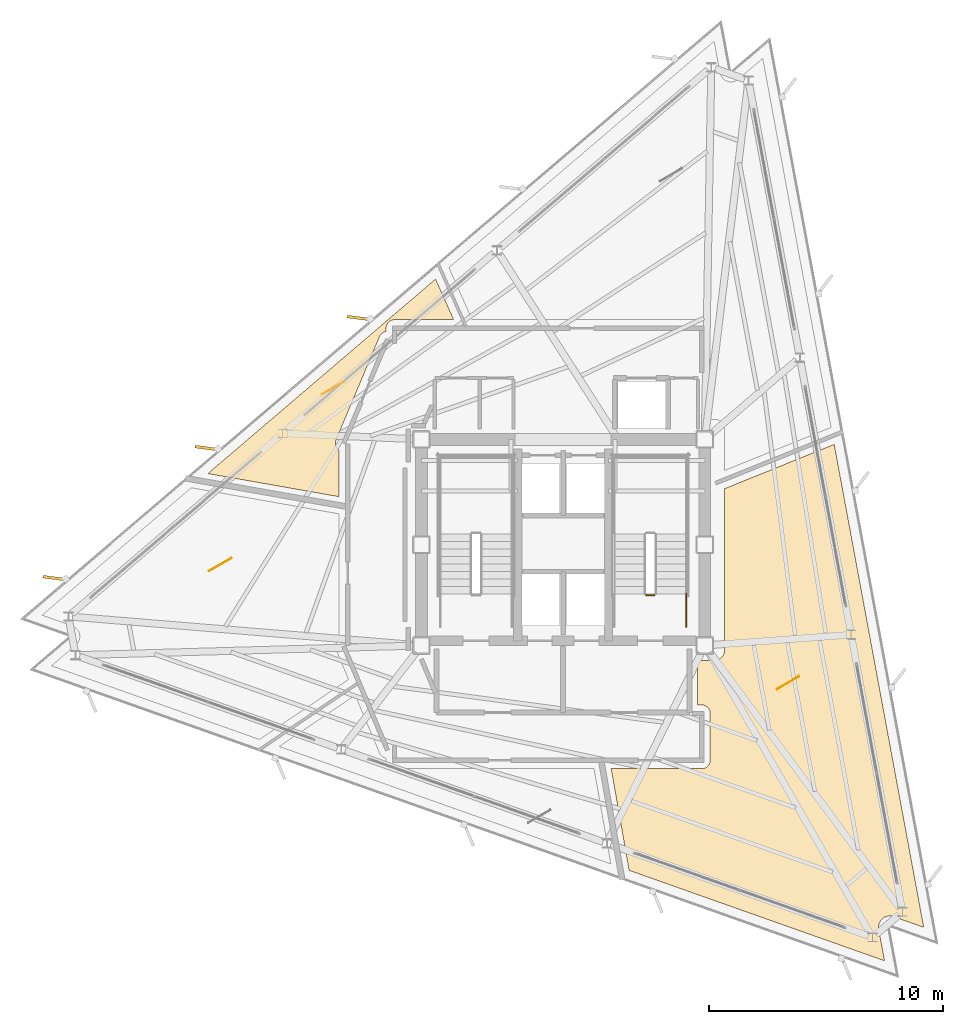
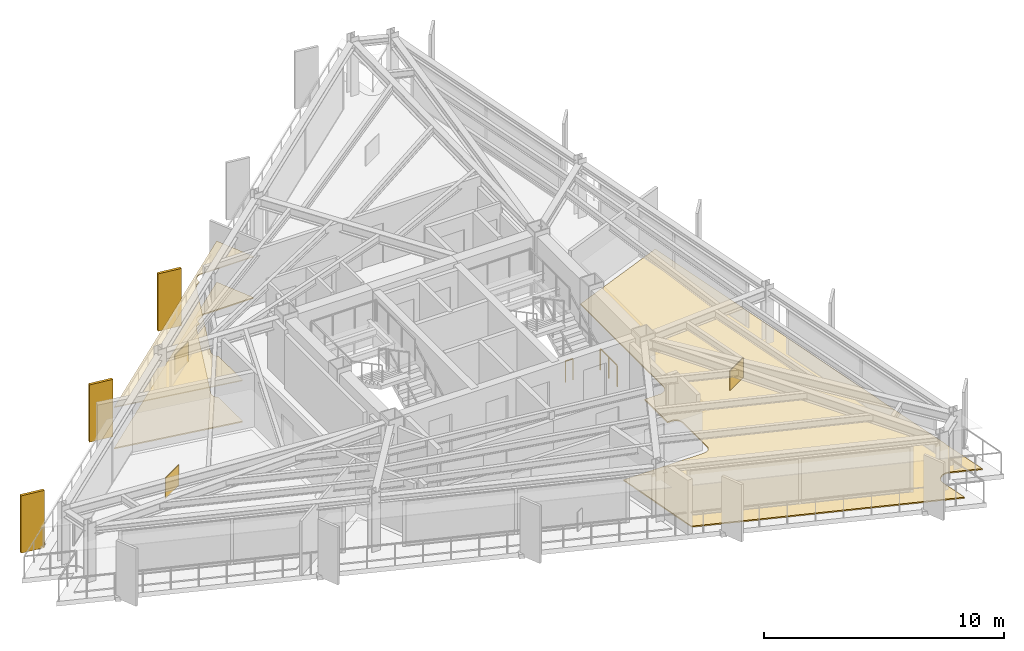
# One storey, part 12 of 14: 6 coverings, 3 shading devices, 2 railings.
"""IFC4 building model written with IfcOpenShell, lengths in metres."""

from ifc_helpers import new_model, si_unit, direction, frame, origin, origin_2d, place, context, subcontext, project, spatial, polyline, rectangle, outline, extrude, material, layer, layer_set, type_object, element, save


model = new_model("IFC4")

# Units and contexts
model_context = context("Model", 3, precision=1e-05, world=origin(), true_north=direction((0.0, 1.0)))
body_context = subcontext(model_context, "Body", "Model", "MODEL_VIEW")
ifc_project = project(units=[si_unit("LENGTHUNIT", "METRE"), si_unit("AREAUNIT", "SQUARE_METRE"), si_unit("VOLUMEUNIT", "CUBIC_METRE"), si_unit("PLANEANGLEUNIT", "RADIAN"), si_unit("MASSUNIT", "GRAM", prefix="KILO")], contexts=[model_context])

# Site, building, storey
site_placement = place(None, origin())
site = spatial("IfcSite", under=ifc_project, at=site_placement, CompositionType="ELEMENT")
building_placement = place(site_placement, origin())
building = spatial("IfcBuilding", under=site, at=building_placement, Name="Rocaltana Carrier Exchange", CompositionType="ELEMENT")
storey_placement = place(building_placement, frame((0.0, 0.0, 187.52001953125)))
storey = spatial("IfcBuildingStorey", under=building, at=storey_placement, Name="L59", CompositionType="ELEMENT", Elevation=187.52001953125)

# Coverings
ifc_material_1 = material(Name="Calcium Sulphate & Aluminium Pedestal", Category="aluminium")
ifc_layer_1 = layer(ifc_material_1, 0.06005859375)
ifc_layer_set_1 = layer_set([ifc_layer_1], Name="Calcium Sulphate & Aluminium Pedestal")
covering_type_1 = type_object("IfcCoveringType", Name="Anti-Static Raised Exchange Access Floor 60", PredefinedType="FLOORING", material=ifc_layer_set_1)
covering_1_placement = place(storey_placement, origin())
element("IfcCovering", 1, at=covering_1_placement, inside=storey, type_object=covering_type_1, Name="L59 Cloud Architecture Office Finish Floor", PredefinedType="FLOORING", context=body_context, shape_type="SweptSolid", body=[
    extrude(outline(polyline([(5.739990234375, -6.840087890625), (5.739990234375, -4.93994140625), (6.449951171875, -4.93994140625), (6.463623046875, -4.939697265625), (6.4794921875, -4.93896484375), (6.5068359375, -4.936279296875), (6.522216796875, -4.933837890625), (6.54931640625, -4.928466796875), (6.564453125, -4.9248046875), (6.5908203125, -4.916748046875), (6.605712890625, -4.91162109375), (6.630859375, -4.90087890625), (6.64501953125, -4.894287109375), (6.66943359375, -4.88134765625), (6.682861328125, -4.873291015625), (6.705810546875, -4.85791015625), (6.71826171875, -4.8486328125), (6.739501953125, -4.8310546875), (6.751220703125, -4.820556640625), (6.7705078125, -4.80126953125), (6.781005859375, -4.78955078125), (6.798583984375, -4.768310546875), (6.807861328125, -4.755615234375), (6.8232421875, -4.73291015625), (6.831298828125, -4.719482421875), (6.84423828125, -4.695068359375), (6.850830078125, -4.680908203125), (6.861572265625, -4.655517578125), (6.86669921875, -4.640869140625), (6.874755859375, -4.614501953125), (6.87841796875, -4.59912109375), (6.8837890625, -4.572265625), (6.88623046875, -4.556884765625), (6.888916015625, -4.529296875), (6.8896484375, -4.513671875), (6.889892578125, -4.5), (6.889892578125, 2.3955078125), (11.576171875, 4.288818359375), (15.398681640625, -16.3359375), (14.108642578125, -15.879150390625), (14.095458984375, -15.874755859375), (14.076416015625, -15.869140625), (14.04931640625, -15.8623046875), (14.02978515625, -15.858642578125), (14.001953125, -15.854736328125), (13.982177734375, -15.852783203125), (13.954345703125, -15.851806640625), (13.934326171875, -15.85205078125), (13.906494140625, -15.853515625), (13.88671875, -15.855712890625), (13.859130859375, -15.860107421875), (13.839599609375, -15.8642578125), (13.8125, -15.871337890625), (13.793701171875, -15.87744140625), (13.767333984375, -15.88720703125), (13.7490234375, -15.89501953125), (13.72412109375, -15.907470703125), (13.706787109375, -15.9169921875), (13.68310546875, -15.931884765625), (13.66650390625, -15.943359375), (13.64453125, -15.960205078125), (13.62939453125, -15.973388671875), (13.60888671875, -15.992431640625), (13.59521484375, -16.0068359375), (13.576904296875, -16.02783203125), (13.564697265625, -16.043701171875), (13.548583984375, -16.06640625), (13.537841796875, -16.083251953125), (13.524169921875, -16.107666015625), (13.51513671875, -16.12548828125), (13.50390625, -16.15087890625), (13.496826171875, -16.16943359375), (13.48828125, -16.196044921875), (13.48291015625, -16.21533203125), (13.47705078125, -16.24267578125), (13.4736328125, -16.26220703125), (13.470458984375, -16.2900390625), (13.468994140625, -16.309814453125), (13.46875, -16.337890625), (13.469482421875, -16.357666015625), (13.4716796875, -16.385498046875), (13.474365234375, -16.4052734375), (13.4765625, -16.419189453125), (13.725830078125, -17.7646484375), (2.81689453125, -13.901611328125), (2.05126953125, -9.56005859375), (5.919921875, -9.56005859375), (5.93359375, -9.559814453125), (5.941650390625, -9.559326171875), (5.968994140625, -9.556640625), (5.976806640625, -9.555419921875), (6.003662109375, -9.550048828125), (6.01123046875, -9.548095703125), (6.03759765625, -9.540283203125), (6.044921875, -9.53759765625), (6.0703125, -9.527099609375), (6.077392578125, -9.523681640625), (6.101806640625, -9.5107421875), (6.1083984375, -9.506591796875), (6.131103515625, -9.491455078125), (6.137451171875, -9.48681640625), (6.15869140625, -9.46923828125), (6.16455078125, -9.464111328125), (6.18408203125, -9.444580078125), (6.189208984375, -9.438720703125), (6.206787109375, -9.41748046875), (6.21142578125, -9.4111328125), (6.226806640625, -9.388427734375), (6.230712890625, -9.381591796875), (6.24365234375, -9.357421875), (6.2470703125, -9.350341796875), (6.257568359375, -9.324951171875), (6.26025390625, -9.317626953125), (6.268310546875, -9.291259765625), (6.27001953125, -9.28369140625), (6.275390625, -9.256591796875), (6.276611328125, -9.248779296875), (6.279296875, -9.2216796875), (6.27978515625, -9.213623046875), (6.280029296875, -9.199951171875), (6.280029296875, -7.199951171875), (6.27978515625, -7.186279296875), (6.279296875, -7.178466796875), (6.276611328125, -7.151123046875), (6.275390625, -7.143310546875), (6.27001953125, -7.116455078125), (6.268310546875, -7.108642578125), (6.26025390625, -7.08251953125), (6.257568359375, -7.0751953125), (6.2470703125, -7.0498046875), (6.24365234375, -7.04248046875), (6.230712890625, -7.018310546875), (6.226806640625, -7.01171875), (6.21142578125, -6.98876953125), (6.206787109375, -6.982421875), (6.189208984375, -6.961181640625), (6.18408203125, -6.955322265625), (6.16455078125, -6.93603515625), (6.15869140625, -6.9306640625), (6.137451171875, -6.913330078125), (6.131103515625, -6.90869140625), (6.1083984375, -6.893310546875), (6.101806640625, -6.889404296875), (6.077392578125, -6.876220703125), (6.0703125, -6.873046875), (6.044921875, -6.862548828125), (6.03759765625, -6.85986328125), (6.01123046875, -6.851806640625), (6.003662109375, -6.849853515625), (5.976806640625, -6.844482421875), (5.968994140625, -6.843505859375), (5.941650390625, -6.8408203125), (5.93359375, -6.84033203125), (5.919921875, -6.840087890625), (5.739990234375, -6.840087890625)])), origin(), (0.0, 0.0, 1.0), 0.06005859375),
])
covering_2_placement = place(storey_placement, origin())
element("IfcCovering", 2, at=covering_2_placement, inside=storey, type_object=covering_type_1, Name="L59 Peering Conference Room Finish Floor", PredefinedType="FLOORING", context=body_context, shape_type="SweptSolid", body=[
    extrude(outline(polyline([(-9.56005859375, 4.052001953125), (-9.56005859375, 2.05126953125), (-15.169921875, 3.040283203125), (-5.445556640625, 11.345703125), (-4.672607421875, 9.610107421875), (-7.199951171875, 9.610107421875), (-7.213623046875, 9.609619140625), (-7.2216796875, 9.609375), (-7.248779296875, 9.606689453125), (-7.256591796875, 9.60546875), (-7.28369140625, 9.60009765625), (-7.291259765625, 9.59814453125), (-7.317626953125, 9.590087890625), (-7.324951171875, 9.58740234375), (-7.350341796875, 9.576904296875), (-7.357421875, 9.57373046875), (-7.381591796875, 9.560791015625), (-7.388427734375, 9.556640625), (-7.4111328125, 9.54150390625), (-7.41748046875, 9.53662109375), (-7.438720703125, 9.519287109375), (-7.444580078125, 9.513916015625), (-7.464111328125, 9.49462890625), (-7.46923828125, 9.48876953125), (-7.48681640625, 9.467529296875), (-7.491455078125, 9.461181640625), (-7.506591796875, 9.4384765625), (-7.5107421875, 9.431640625), (-7.523681640625, 9.407470703125), (-7.527099609375, 9.400390625), (-7.53759765625, 9.375), (-7.540283203125, 9.36767578125), (-7.548095703125, 9.34130859375), (-7.550048828125, 9.33349609375), (-7.555419921875, 9.306640625), (-7.556640625, 9.298828125), (-7.559326171875, 9.271484375), (-7.559814453125, 9.263671875), (-7.56005859375, 9.25), (-7.56005859375, 9.106689453125), (-7.563720703125, 9.106201171875), (-7.5908203125, 9.100830078125), (-7.598388671875, 9.09912109375), (-7.624755859375, 9.09130859375), (-7.632080078125, 9.088623046875), (-7.65771484375, 9.078125), (-7.664794921875, 9.074951171875), (-7.68896484375, 9.06201171875), (-7.69580078125, 9.05810546875), (-7.71875, 9.04296875), (-7.72509765625, 9.038330078125), (-7.746337890625, 9.02099609375), (-7.752197265625, 9.015625), (-7.771728515625, 8.996337890625), (-7.777099609375, 8.990478515625), (-7.794677734375, 8.969482421875), (-7.79931640625, 8.963134765625), (-7.814697265625, 8.9404296875), (-7.818603515625, 8.93359375), (-7.831787109375, 8.909423828125), (-7.835205078125, 8.90234375), (-7.8408203125, 8.889892578125), (-9.69091796875, 4.489990234375), (-9.69580078125, 4.47705078125), (-9.698486328125, 4.4697265625), (-9.706787109375, 4.443603515625), (-9.70849609375, 4.435791015625), (-9.714111328125, 4.408935546875), (-9.71533203125, 4.401123046875), (-9.71826171875, 4.373779296875), (-9.718505859375, 4.365966796875), (-9.71875, 4.33837890625), (-9.718505859375, 4.330810546875), (-9.7158203125, 4.30322265625), (-9.714599609375, 4.295654296875), (-9.70947265625, 4.2685546875), (-9.70751953125, 4.260986328125), (-9.69970703125, 4.234619140625), (-9.697265625, 4.227294921875), (-9.686767578125, 4.201904296875), (-9.68359375, 4.194580078125), (-9.670654296875, 4.17041015625), (-9.666748046875, 4.16357421875), (-9.651611328125, 4.140625), (-9.64697265625, 4.134521484375), (-9.629638671875, 4.113037109375), (-9.624267578125, 4.107177734375), (-9.60498046875, 4.087646484375), (-9.59912109375, 4.082275390625), (-9.578125, 4.064697265625), (-9.57177734375, 4.06005859375), (-9.56005859375, 4.052001953125)])), origin(), (0.0, 0.0, 1.0), 0.06005859375),
])
ifc_material_2 = material(Name="Mineral Fibre & Powder-Coated Aluminium", Category="aluminium")
ifc_layer_2 = layer(ifc_material_2, 0.044921875)
ifc_layer_set_2 = layer_set([ifc_layer_2], Name="Mineral Fibre & Powder-Coated Aluminium")
covering_type_2 = type_object("IfcCoveringType", Name="Micro-Perforated Acoustic Ceiling 45", PredefinedType="CEILING", material=ifc_layer_set_2)
covering_3_placement = place(storey_placement, frame((0.0, 0.0, 2.10302734375)))
element("IfcCovering", 3, at=covering_3_placement, inside=storey, type_object=covering_type_2, Name="L59 Peering Conference Room Acoustic Ceiling", PredefinedType="CEILING", context=body_context, shape_type="SweptSolid", body=[
    extrude(outline(polyline([(-9.56005859375, 4.052001953125), (-9.56005859375, 2.05126953125), (-15.169921875, 3.040283203125), (-5.445556640625, 11.345703125), (-4.672607421875, 9.610107421875), (-7.199951171875, 9.610107421875), (-7.213623046875, 9.609619140625), (-7.2216796875, 9.609375), (-7.248779296875, 9.606689453125), (-7.256591796875, 9.60546875), (-7.28369140625, 9.60009765625), (-7.291259765625, 9.59814453125), (-7.317626953125, 9.590087890625), (-7.324951171875, 9.58740234375), (-7.350341796875, 9.576904296875), (-7.357421875, 9.57373046875), (-7.381591796875, 9.560791015625), (-7.388427734375, 9.556640625), (-7.4111328125, 9.54150390625), (-7.41748046875, 9.53662109375), (-7.438720703125, 9.519287109375), (-7.444580078125, 9.513916015625), (-7.464111328125, 9.49462890625), (-7.46923828125, 9.48876953125), (-7.48681640625, 9.467529296875), (-7.491455078125, 9.461181640625), (-7.506591796875, 9.4384765625), (-7.5107421875, 9.431640625), (-7.523681640625, 9.407470703125), (-7.527099609375, 9.400390625), (-7.53759765625, 9.375), (-7.540283203125, 9.36767578125), (-7.548095703125, 9.34130859375), (-7.550048828125, 9.33349609375), (-7.555419921875, 9.306640625), (-7.556640625, 9.298828125), (-7.559326171875, 9.271484375), (-7.559814453125, 9.263671875), (-7.56005859375, 9.25), (-7.56005859375, 9.106689453125), (-7.563720703125, 9.106201171875), (-7.5908203125, 9.100830078125), (-7.598388671875, 9.09912109375), (-7.624755859375, 9.09130859375), (-7.632080078125, 9.088623046875), (-7.65771484375, 9.078125), (-7.664794921875, 9.074951171875), (-7.68896484375, 9.06201171875), (-7.69580078125, 9.05810546875), (-7.71875, 9.04296875), (-7.72509765625, 9.038330078125), (-7.746337890625, 9.02099609375), (-7.752197265625, 9.015625), (-7.771728515625, 8.996337890625), (-7.777099609375, 8.990478515625), (-7.794677734375, 8.969482421875), (-7.79931640625, 8.963134765625), (-7.814697265625, 8.9404296875), (-7.818603515625, 8.93359375), (-7.831787109375, 8.909423828125), (-7.835205078125, 8.90234375), (-7.8408203125, 8.889892578125), (-9.69091796875, 4.489990234375), (-9.69580078125, 4.47705078125), (-9.698486328125, 4.4697265625), (-9.706787109375, 4.443603515625), (-9.70849609375, 4.435791015625), (-9.714111328125, 4.408935546875), (-9.71533203125, 4.401123046875), (-9.71826171875, 4.373779296875), (-9.718505859375, 4.365966796875), (-9.71875, 4.33837890625), (-9.718505859375, 4.330810546875), (-9.7158203125, 4.30322265625), (-9.714599609375, 4.295654296875), (-9.70947265625, 4.2685546875), (-9.70751953125, 4.260986328125), (-9.69970703125, 4.234619140625), (-9.697265625, 4.227294921875), (-9.686767578125, 4.201904296875), (-9.68359375, 4.194580078125), (-9.670654296875, 4.17041015625), (-9.666748046875, 4.16357421875), (-9.651611328125, 4.140625), (-9.64697265625, 4.134521484375), (-9.629638671875, 4.113037109375), (-9.624267578125, 4.107177734375), (-9.60498046875, 4.087646484375), (-9.59912109375, 4.082275390625), (-9.578125, 4.064697265625), (-9.57177734375, 4.06005859375), (-9.56005859375, 4.052001953125)])), origin(), (0.0, 0.0, 1.0), 0.044921875),
])

# Railings
ifc_material_3 = material(Name="Powder-Coated Aluminium 6063-T6", Category="aluminium")
ifc_layer_3 = layer(ifc_material_3, 0.048095703125)
ifc_layer_set_3 = layer_set([ifc_layer_3], Name="Powder-Coated Aluminium 6063-T6")
railing_type = type_object("IfcRailingType", Name="Stair Well Guardrail 1100", PredefinedType="GUARDRAIL", material=ifc_layer_set_3)
railing_1_placement = place(storey_placement, frame((3.89990234375, -2.14990234375, 0.0)))
element("IfcRailing", 4, at=railing_1_placement, inside=storey, type_object=railing_type, Name="L59 ST-2 stair guard 7", PredefinedType="GUARDRAIL", context=body_context, shape_type="SweptSolid", body=[
    extrude(rectangle(XDim=0.048095703125, YDim=0.048095703125, at=origin_2d()), frame((0.0, 0.0, 1.076171875), z_axis=(-1.0, 0.0, 0.0), x_axis=(0.0, -1.0, 0.0)), (0.0, 0.0, 1.0), 0.35986328125),
    extrude(rectangle(XDim=0.0419921875, YDim=0.0419921875, at=origin_2d()), origin(), (0.0, 0.0, 1.0), 1.052001953125),
    extrude(rectangle(XDim=0.0419921875, YDim=0.0419921875, at=origin_2d()), frame((-0.35986328125, 0.0, 0.0)), (0.0, 0.0, 1.0), 1.052001953125),
])
railing_2_placement = place(storey_placement, frame((5.25, -3.5, 0.0)))
element("IfcRailing", 5, at=railing_2_placement, inside=storey, type_object=railing_type, Name="L59 ST-2 stair guard 8", PredefinedType="GUARDRAIL", context=body_context, shape_type="SweptSolid", body=[
    extrude(rectangle(XDim=0.048095703125, YDim=0.048095703125, at=origin_2d()), frame((0.0, 0.0, 1.076171875), z_axis=(0.0, 1.0, 0.0), x_axis=(-1.0, 0.0, 0.0)), (0.0, 0.0, 1.0), 1.39990234375),
    extrude(rectangle(XDim=0.0419921875, YDim=0.0419921875, at=origin_2d()), origin(), (0.0, 0.0, 1.0), 1.052001953125),
    extrude(rectangle(XDim=0.0419921875, YDim=0.0419921875, at=origin_2d()), frame((0.0, 0.699951171875, 0.0)), (0.0, 0.0, 1.0), 1.052001953125),
    extrude(rectangle(XDim=0.0419921875, YDim=0.0419921875, at=origin_2d()), frame((0.0, 1.39990234375, 0.0)), (0.0, 0.0, 1.0), 1.052001953125),
])

# Coverings
ifc_material_4 = material(Name="Honed Piedra Muneca Sandstone", Category="masonry")
ifc_layer_4 = layer(ifc_material_4, 0.034912109375)
ifc_layer_set_4 = layer_set([ifc_layer_4], Name="Honed Piedra Muneca Sandstone")
covering_type_3 = type_object("IfcCoveringType", Name="Stone Facade Cladding 35", PredefinedType="CLADDING", material=ifc_layer_set_4)
for number, where, z_axis, x_axis, name in (
    (6, (-14.637939453125, -0.84228515625, 0.0), (0.0, 0.0, 1.0), (0.866025403784, 0.5, 0.0), "L59 Stone Facade Cladding Panel 1"),
    (7, (9.601318359375, -5.889892578125, 0.0), (0.0, 0.0, 1.0), (0.866025403784, 0.5, 0.0), "L59 Stone Facade Cladding Panel 3"),
    (8, (-9.831298828125, 6.68994140625, 0.0), (0.0, 0.0, 1.0), (0.866025403784, 0.5, 0.0), "L59 Stone Facade Cladding Panel 5"),
):
    element("IfcCovering", number, at=place(storey_placement, frame(where, z_axis=z_axis, x_axis=x_axis)), inside=storey, type_object=covering_type_3, Name=name, PredefinedType="CLADDING", context=body_context, shape_type="SweptSolid", body=[
        extrude(rectangle(XDim=1.10009765625, YDim=0.034912109375, at=origin_2d()), origin(), (0.0, 0.0, 1.0), 1.050048828125),
    ])

# Shading devices
ifc_material_5 = material(Name="Honed Bogota Sandstone & Concrete C45/55", Category="masonry")
ifc_layer_5 = layer(ifc_material_5, 0.1201171875)
ifc_layer_set_5 = layer_set([ifc_layer_5], Name="Honed Bogota Sandstone & Concrete C45/55")
shading_device_type = type_object("IfcShadingDeviceType", Name="Upper Sandstone Shading Fin 1050x120", PredefinedType="USERDEFINED", material=ifc_layer_set_5)
for number, where, z_axis, x_axis, name in (
    (9, (-8.6923828125, 9.677978515625, -0.1201171875), (0.0, 0.0, 1.0), (-0.991444861374, 0.13052619222, 0.0), "L59 Sandstone Vertical Fin F2-03"),
    (10, (-15.19384765625, 4.125, -0.1201171875), (0.0, 0.0, 1.0), (-0.991444861374, 0.13052619222, 0.0), "L59 Sandstone Vertical Fin F2-04"),
    (11, (-21.6953125, -1.427734375, -0.1201171875), (0.0, 0.0, 1.0), (-0.991444861374, 0.13052619222, 0.0), "L59 Sandstone Vertical Fin F2-05"),
):
    element("IfcShadingDevice", number, at=place(storey_placement, frame(where, z_axis=z_axis, x_axis=x_axis)), inside=storey, type_object=shading_device_type, Name=name, ObjectType="FIN", PredefinedType="USERDEFINED", context=body_context, shape_type="SweptSolid", body=[
        extrude(rectangle(XDim=1.050048828125, YDim=0.1201171875, at=origin_2d()), origin(), (0.0, 0.0, 1.0), 2.91796875),
    ])

save(model, "model.ifc")
